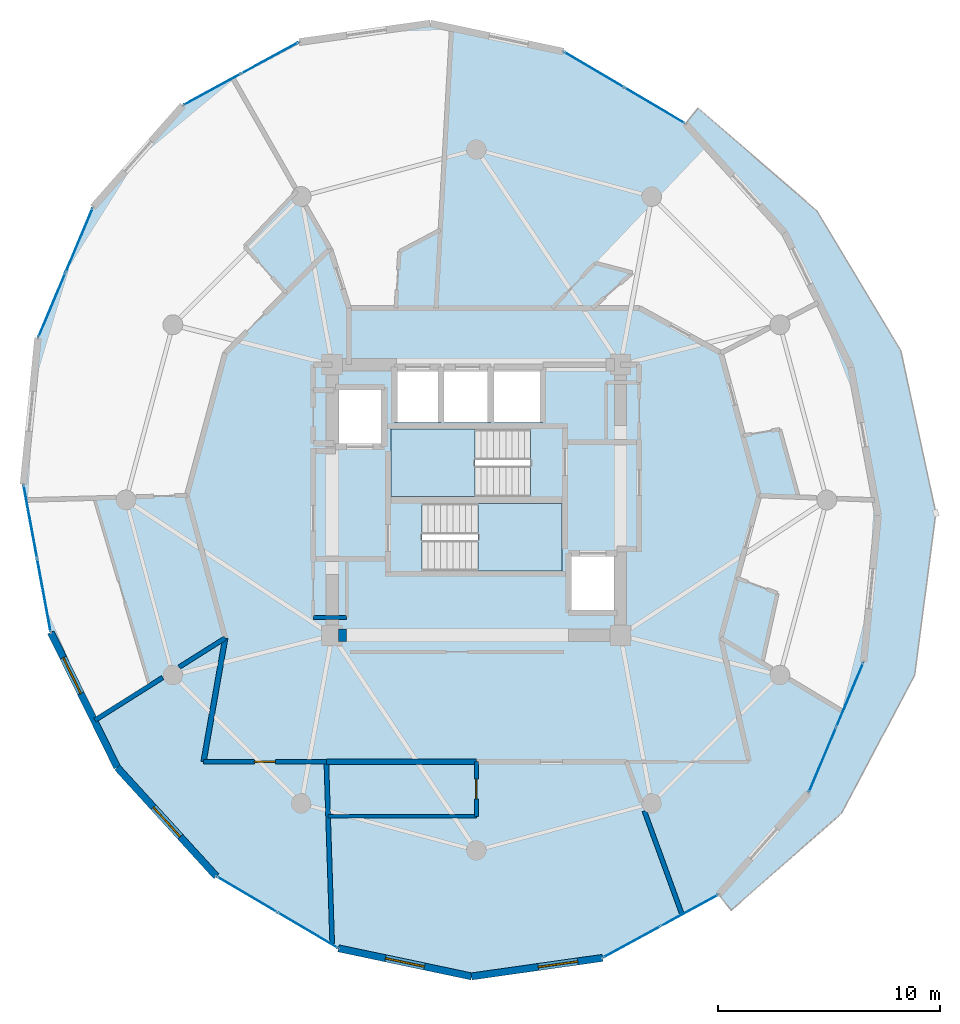
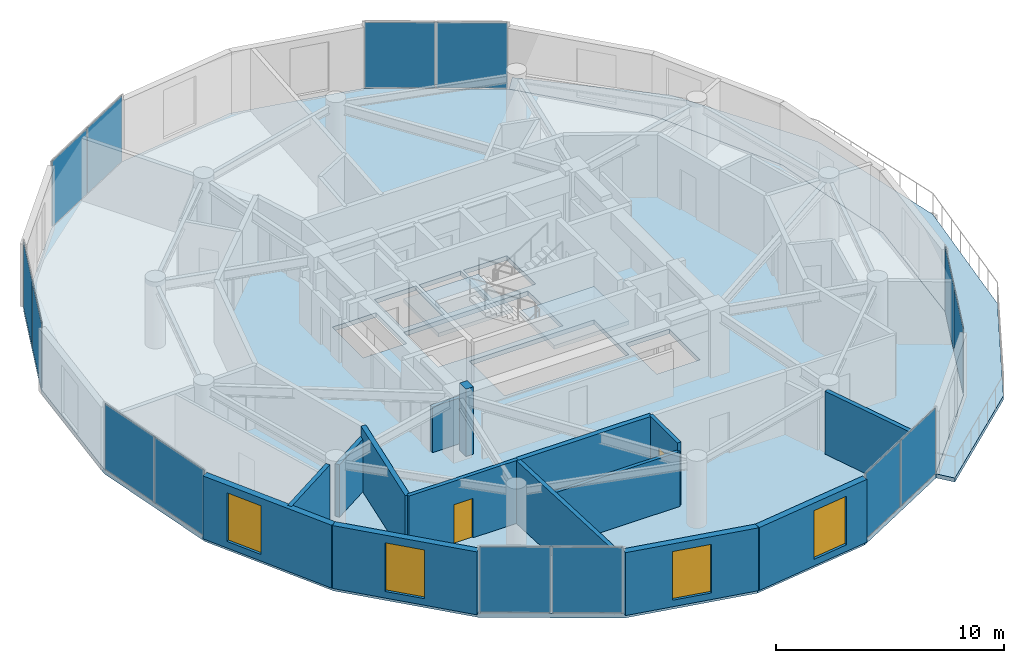
# One storey, part 16 of 21: 15 walls, 14 plates, 4 slabs, 4 windows, 2 doors, 6 openings, 9 elements without a shape of their own.
"""IFC4 building model written with IfcOpenShell, lengths in metres."""

from ifc_helpers import new_model, si_unit, direction, frame, frame_2d, origin, origin_2d, place, context, subcontext, project, spatial, polyline, rectangle, outline, extrude, source, transform, mapped, material, layer, layer_set, type_object, element, fill, aggregate, save


model = new_model("IFC4")

# Units and contexts
model_context = context("Model", 3, precision=1e-05, world=origin(), true_north=direction((0.0, 1.0)))
body_context = subcontext(model_context, "Body", "Model", "MODEL_VIEW")
ifc_project = project(units=[si_unit("LENGTHUNIT", "METRE"), si_unit("AREAUNIT", "SQUARE_METRE"), si_unit("VOLUMEUNIT", "CUBIC_METRE"), si_unit("PLANEANGLEUNIT", "RADIAN"), si_unit("MASSUNIT", "GRAM", prefix="KILO")], contexts=[model_context])

# Site, building, storey
site_placement = place(None, origin())
site = spatial("IfcSite", under=ifc_project, at=site_placement, CompositionType="ELEMENT")
building_placement = place(site_placement, origin())
building = spatial("IfcBuilding", under=site, at=building_placement, Name="Solvirekh Grand Hotel", CompositionType="ELEMENT")
storey_placement = place(building_placement, frame((0.0, 0.0, 223.60009765625)))
storey = spatial("IfcBuildingStorey", under=building, at=storey_placement, Name="L58", CompositionType="ELEMENT", Elevation=223.60009765625)

# Slab
ifc_material_1 = material(Name="Concrete C50/60", Category="concrete")
ifc_layer_1 = layer(ifc_material_1, 0.215087890625)
ifc_layer_set_1 = layer_set([ifc_layer_1], Name="Concrete C50/60")
slab_type_1 = type_object("IfcSlabType", Name="ExtCrescentBalc_215", PredefinedType="FLOOR", material=ifc_layer_set_1)
slab_1_placement = place(storey_placement, frame((0.0, 0.0, -0.215087890625)))
element("IfcSlab", 1, at=slab_1_placement, inside=storey, type_object=slab_type_1, Name="L58 sweeping crescent balcony slab", PredefinedType="FLOOR", context=body_context, shape_type="SweptSolid", body=[
    extrude(outline(polyline([(11.489013671875, -18.493896484375), (16.468017578125, -14.118896484375), (19.761962890625, -7.882080078125), (20.714111328125, -0.587890625), (19.138916015625, 6.718017578125), (15.340087890625, 13.04296875), (9.993896484375, 17.6650390625), (9.424072265625, 16.968017578125), (13.89208984375, 12.06005859375), (16.886962890625, 5.971923828125), (18.116943359375, -0.700927734375), (17.4609375, -7.304931640625), (14.98291015625, -13.194091796875), (10.926025390625, -17.7919921875), (11.489013671875, -18.493896484375)])), origin(), (0.0, 0.0, 1.0), 0.215087890625),
])

# Stair, slab
ifc_material_2 = material(Name="Concrete C40/50", Category="concrete")
stair_type = type_object("IfcStairType", Name="Stair_Core_1450", PredefinedType="HALF_TURN_STAIR", material=ifc_material_2)
stair_1_placement = place(storey_placement, origin())
stair_1 = element("IfcStair", 2, at=stair_1_placement, inside=storey, type_object=stair_type, Name="L58 Enclosed exit stair ST-1", PredefinedType="HALF_TURN_STAIR")
ifc_layer_2 = layer(ifc_material_2, 0.199951171875)
ifc_layer_set_2 = layer_set([ifc_layer_2], Name="Concrete C40/50")
slab_type_2 = type_object("IfcSlabType", Name="Landing_Stair_200", PredefinedType="LANDING", material=ifc_layer_set_2)
slab_2_placement = place(storey_placement, frame((0.0, 0.0, 1.599853515625)))
slab_2 = element("IfcSlab", 3, at=slab_2_placement, type_object=slab_type_2, Name="ST-1 landing 1", PredefinedType="LANDING", context=body_context, shape_type="SweptSolid", body=[
    extrude(outline(polyline([(0.070068359375, -3.199951171875), (3.85009765625, -3.199951171875), (3.85009765625, -0.14990234375), (0.070068359375, -0.14990234375), (0.070068359375, -3.199951171875)])), origin(), (0.0, 0.0, 1.0), 0.199951171875),
])
aggregate(stair_1, [slab_2])

stair_2_placement = place(storey_placement, origin())
stair_2 = element("IfcStair", 4, at=stair_2_placement, inside=storey, type_object=stair_type, Name="L58 Enclosed exit stair ST-2", PredefinedType="HALF_TURN_STAIR")
slab_3_placement = place(storey_placement, frame((0.0, 0.0, 1.599853515625)))
slab_3 = element("IfcSlab", 5, at=slab_3_placement, type_object=slab_type_2, Name="ST-2 landing 1", PredefinedType="LANDING", context=body_context, shape_type="SweptSolid", body=[
    extrude(outline(polyline([(-0.070068359375, 3.199951171875), (-3.85009765625, 3.199951171875), (-3.85009765625, 0.14990234375), (-0.070068359375, 0.14990234375), (-0.070068359375, 3.199951171875)])), origin(), (0.0, 0.0, 1.0), 0.199951171875),
])
aggregate(stair_2, [slab_3])

# Slab
ifc_layer_3 = layer(ifc_material_2, 0.239990234375)
ifc_layer_set_3 = layer_set([ifc_layer_3], Name="Concrete C40/50")
slab_type_3 = type_object("IfcSlabType", Name="Slab_GuestZ3_240", PredefinedType="FLOOR", material=ifc_layer_set_3)
slab_4_placement = place(storey_placement, frame((0.0, 0.0, -0.239990234375)))
element("IfcSlab", 6, at=slab_4_placement, inside=storey, type_object=slab_type_3, Name="L58 structural floor slab", PredefinedType="FLOOR", context=body_context, shape_type="SweptSolid", body=[
    extrude(outline(polyline([(5.68701171875, -20.64794921875), (10.926025390625, -17.7919921875), (14.98291015625, -13.194091796875), (17.4609375, -7.304931640625), (18.116943359375, -0.700927734375), (16.886962890625, 5.971923828125), (13.89208984375, 12.06005859375), (9.424072265625, 16.968017578125), (3.9208984375, 20.215087890625), (-2.077880859375, 21.48291015625), (-7.987060546875, 20.64794921875), (-13.22607421875, 17.7919921875), (-17.282958984375, 13.194091796875), (-19.760986328125, 7.304931640625), (-20.4169921875, 0.700927734375), (-19.18701171875, -5.971923828125), (-16.19189453125, -12.06005859375), (-11.72412109375, -16.968017578125), (-6.220947265625, -20.215087890625), (-0.221923828125, -21.48291015625), (5.68701171875, -20.64794921875)]), holes=[polyline([(-2.444091796875, -0.14990234375), (3.85009765625, -0.14990234375), (3.85009765625, -3.199951171875), (-2.444091796875, -3.199951171875), (-2.444091796875, -0.14990234375)]), polyline([(2.444091796875, 0.14990234375), (-3.85009765625, 0.14990234375), (-3.85009765625, 3.199951171875), (2.444091796875, 3.199951171875), (2.444091796875, 0.14990234375)]), polyline([(-3.699951171875, 6.0), (-1.60009765625, 6.0), (-1.60009765625, 3.5), (-3.699951171875, 3.5), (-3.699951171875, 6.0)]), polyline([(-1.449951171875, 6.0), (0.64990234375, 6.0), (0.64990234375, 3.5), (-1.449951171875, 3.5), (-1.449951171875, 6.0)]), polyline([(0.800048828125, 6.0), (3.0, 6.0), (3.0, 3.5), (0.800048828125, 3.5), (0.800048828125, 6.0)]), polyline([(-6.35009765625, 5.10009765625), (-4.14990234375, 5.10009765625), (-4.14990234375, 2.39990234375), (-6.35009765625, 2.39990234375), (-6.35009765625, 5.10009765625)]), polyline([(4.14990234375, -2.39990234375), (6.35009765625, -2.39990234375), (6.35009765625, -5.10009765625), (4.14990234375, -5.10009765625), (4.14990234375, -2.39990234375)])]), origin(), (0.0, 0.0, 1.0), 0.239990234375),
])

# Curtain wall, plates
ifc_material_3 = material(Name="Anodized Bronze Aluminium 6063-T6", Category="aluminium")
ifc_layer_4 = layer(ifc_material_3, 0.159912109375)
ifc_layer_set_4 = layer_set([ifc_layer_4], Name="Anodized Bronze Aluminium 6063-T6")
curtain_wall_type = type_object("IfcCurtainWallType", Name="CW_Sys4_HighZoneFlushBronzeCW", PredefinedType="NOTDEFINED", material=ifc_layer_set_4)
curtain_wall_1_placement = place(storey_placement, origin())
curtain_wall_1 = element("IfcCurtainWall", 7, at=curtain_wall_1_placement, inside=storey, type_object=curtain_wall_type, Name="L58 unitised bronze-glass curtain wall CW-L58-C08", PredefinedType="NOTDEFINED")
ifc_material_4 = material(Name="Low-E Tinted Bronze Laminated Glass", Category="aluminium")
ifc_layer_5 = layer(ifc_material_4, 0.033935546875)
ifc_layer_set_5 = layer_set([ifc_layer_5], Name="Low-E Tinted Bronze Laminated Glass")
plate_type = type_object("IfcPlateType", Name="CWPanel_High_34", PredefinedType="CURTAIN_PANEL", material=ifc_layer_set_5)
shared_shape_1 = source(origin(), body_context, "Body", "SweptSolid", [
    extrude(rectangle(XDim=3.104736328125, YDim=0.033935546875, at=origin_2d()), origin(), (0.0, 0.0, 1.0), 3.489990234375),
])
plate_1_placement = place(storey_placement, frame((8.035400390625, 17.787353515625, 0.0546875), z_axis=(0.0, 0.0, 1.0), x_axis=(-0.861253503239, 0.508175563323, 0.0)))
plate_1 = element("IfcPlate", 8, at=plate_1_placement, type_object=plate_type, Name="U04 panel 1.1", PredefinedType="CURTAIN_PANEL", context=body_context, shape_type="MappedRepresentation", body=[
    mapped(shared_shape_1, transform((0.0, 0.0, 0.0), x_axis=(1.0, 0.0, 0.0), y_axis=(0.0, 1.0, 0.0), z_axis=(0.0, 0.0, 1.0), scale=1.0)),
])
plate_2_placement = place(storey_placement, frame((5.3095703125, 19.3955078125, 0.0546875), z_axis=(0.0, 0.0, 1.0), x_axis=(-0.861253503239, 0.508175563323, 0.0)))
plate_2 = element("IfcPlate", 9, at=plate_2_placement, type_object=plate_type, Name="U04 panel 2.1", PredefinedType="CURTAIN_PANEL", context=body_context, shape_type="MappedRepresentation", body=[
    mapped(shared_shape_1, transform((0.0, 0.0, 0.0), x_axis=(1.0, 0.0, 0.0), y_axis=(0.0, 1.0, 0.0), z_axis=(0.0, 0.0, 1.0), scale=1.0)),
])
aggregate(curtain_wall_1, [plate_1, plate_2])

curtain_wall_2_placement = place(storey_placement, origin())
curtain_wall_2 = element("IfcCurtainWall", 10, at=curtain_wall_2_placement, inside=storey, type_object=curtain_wall_type, Name="L58 unitised bronze-glass curtain wall CW-L58-C18", PredefinedType="NOTDEFINED")
plate_3_placement = place(storey_placement, frame((-10.33544921875, -17.787353515625, 0.0546875), z_axis=(0.0, 0.0, 1.0), x_axis=(0.861253503239, -0.508175563323, 0.0)))
plate_3 = element("IfcPlate", 11, at=plate_3_placement, type_object=plate_type, Name="U04 panel 1.1", PredefinedType="CURTAIN_PANEL", context=body_context, shape_type="MappedRepresentation", body=[
    mapped(shared_shape_1, transform((0.0, 0.0, 0.0), x_axis=(1.0, 0.0, 0.0), y_axis=(0.0, 1.0, 0.0), z_axis=(0.0, 0.0, 1.0), scale=1.0)),
])
plate_4_placement = place(storey_placement, frame((-7.609619140625, -19.3955078125, 0.0546875), z_axis=(0.0, 0.0, 1.0), x_axis=(0.861253503239, -0.508175563323, 0.0)))
plate_4 = element("IfcPlate", 12, at=plate_4_placement, type_object=plate_type, Name="U04 panel 2.1", PredefinedType="CURTAIN_PANEL", context=body_context, shape_type="MappedRepresentation", body=[
    mapped(shared_shape_1, transform((0.0, 0.0, 0.0), x_axis=(1.0, 0.0, 0.0), y_axis=(0.0, 1.0, 0.0), z_axis=(0.0, 0.0, 1.0), scale=1.0)),
])
aggregate(curtain_wall_2, [plate_3, plate_4])

curtain_wall_3_placement = place(storey_placement, origin())
curtain_wall_3 = element("IfcCurtainWall", 13, at=curtain_wall_3_placement, inside=storey, type_object=curtain_wall_type, Name="L58 unitised bronze-glass curtain wall CW-L58-C01", PredefinedType="NOTDEFINED")
shared_shape_2 = source(origin(), body_context, "Body", "SweptSolid", [
    extrude(rectangle(XDim=2.8935546875, YDim=0.033935546875, at=origin_2d()), origin(), (0.0, 0.0, 1.0), 3.489990234375),
])
plate_5_placement = place(storey_placement, frame((7.010009765625, -19.9267578125, 0.0546875), z_axis=(0.0, 0.0, 1.0), x_axis=(0.878010833211, 0.478640759614, 0.0)))
plate_5 = element("IfcPlate", 14, at=plate_5_placement, type_object=plate_type, Name="U04 panel 1.1", PredefinedType="CURTAIN_PANEL", context=body_context, shape_type="MappedRepresentation", body=[
    mapped(shared_shape_2, transform((0.0, 0.0, 0.0), x_axis=(1.0, 0.0, 0.0), y_axis=(0.0, 1.0, 0.0), z_axis=(0.0, 0.0, 1.0), scale=1.0)),
])
plate_6_placement = place(storey_placement, frame((9.60302734375, -18.51318359375, 0.0546875), z_axis=(0.0, 0.0, 1.0), x_axis=(0.878010833211, 0.478640759614, 0.0)))
plate_6 = element("IfcPlate", 15, at=plate_6_placement, type_object=plate_type, Name="U04 panel 2.1", PredefinedType="CURTAIN_PANEL", context=body_context, shape_type="MappedRepresentation", body=[
    mapped(shared_shape_2, transform((0.0, 0.0, 0.0), x_axis=(1.0, 0.0, 0.0), y_axis=(0.0, 1.0, 0.0), z_axis=(0.0, 0.0, 1.0), scale=1.0)),
])
aggregate(curtain_wall_3, [plate_5, plate_6])

curtain_wall_4_placement = place(storey_placement, origin())
curtain_wall_4 = element("IfcCurtainWall", 16, at=curtain_wall_4_placement, inside=storey, type_object=curtain_wall_type, Name="L58 unitised bronze-glass curtain wall CW-L58-C11", PredefinedType="NOTDEFINED")
plate_7_placement = place(storey_placement, frame((-9.309814453125, 19.9267578125, 0.0546875), z_axis=(0.0, 0.0, 1.0), x_axis=(-0.878010833211, -0.478640759614, 0.0)))
plate_7 = element("IfcPlate", 17, at=plate_7_placement, type_object=plate_type, Name="U04 panel 1.1", PredefinedType="CURTAIN_PANEL", context=body_context, shape_type="MappedRepresentation", body=[
    mapped(shared_shape_2, transform((0.0, 0.0, 0.0), x_axis=(1.0, 0.0, 0.0), y_axis=(0.0, 1.0, 0.0), z_axis=(0.0, 0.0, 1.0), scale=1.0)),
])
plate_8_placement = place(storey_placement, frame((-11.903076171875, 18.51318359375, 0.0546875), z_axis=(0.0, 0.0, 1.0), x_axis=(-0.878010833211, -0.478640759614, 0.0)))
plate_8 = element("IfcPlate", 18, at=plate_8_placement, type_object=plate_type, Name="U04 panel 2.1", PredefinedType="CURTAIN_PANEL", context=body_context, shape_type="MappedRepresentation", body=[
    mapped(shared_shape_2, transform((0.0, 0.0, 0.0), x_axis=(1.0, 0.0, 0.0), y_axis=(0.0, 1.0, 0.0), z_axis=(0.0, 0.0, 1.0), scale=1.0)),
])
aggregate(curtain_wall_4, [plate_7, plate_8])

curtain_wall_5_placement = place(storey_placement, origin())
curtain_wall_5 = element("IfcCurtainWall", 19, at=curtain_wall_5_placement, inside=storey, type_object=curtain_wall_type, Name="L58 unitised bronze-glass curtain wall CW-L58-C03", PredefinedType="NOTDEFINED")
shared_shape_3 = source(origin(), body_context, "Body", "SweptSolid", [
    extrude(rectangle(XDim=3.1044921875, YDim=0.033935546875, at=origin_2d()), origin(), (0.0, 0.0, 1.0), 3.489990234375),
])
plate_9_placement = place(storey_placement, frame((15.6083984375, -11.7080078125, 0.0546875), z_axis=(0.0, 0.0, 1.0), x_axis=(0.387847074185, 0.921723736836, 0.0)))
plate_9 = element("IfcPlate", 20, at=plate_9_placement, type_object=plate_type, Name="U04 panel 1.1", PredefinedType="CURTAIN_PANEL", context=body_context, shape_type="MappedRepresentation", body=[
    mapped(shared_shape_3, transform((0.0, 0.0, 0.0), x_axis=(1.0, 0.0, 0.0), y_axis=(0.0, 1.0, 0.0), z_axis=(0.0, 0.0, 1.0), scale=1.0)),
])
plate_10_placement = place(storey_placement, frame((16.835693359375, -8.791015625, 0.0546875), z_axis=(0.0, 0.0, 1.0), x_axis=(0.387847074185, 0.921723736836, 0.0)))
plate_10 = element("IfcPlate", 21, at=plate_10_placement, type_object=plate_type, Name="U04 panel 2.1", PredefinedType="CURTAIN_PANEL", context=body_context, shape_type="MappedRepresentation", body=[
    mapped(shared_shape_3, transform((0.0, 0.0, 0.0), x_axis=(1.0, 0.0, 0.0), y_axis=(0.0, 1.0, 0.0), z_axis=(0.0, 0.0, 1.0), scale=1.0)),
])
aggregate(curtain_wall_5, [plate_9, plate_10])

curtain_wall_6_placement = place(storey_placement, origin())
curtain_wall_6 = element("IfcCurtainWall", 22, at=curtain_wall_6_placement, inside=storey, type_object=curtain_wall_type, Name="L58 unitised bronze-glass curtain wall CW-L58-C13", PredefinedType="NOTDEFINED")
plate_11_placement = place(storey_placement, frame((-17.908203125, 11.7080078125, 0.0546875), z_axis=(0.0, 0.0, 1.0), x_axis=(-0.387847074185, -0.921723736836, 0.0)))
plate_11 = element("IfcPlate", 23, at=plate_11_placement, type_object=plate_type, Name="U04 panel 1.1", PredefinedType="CURTAIN_PANEL", context=body_context, shape_type="MappedRepresentation", body=[
    mapped(shared_shape_3, transform((0.0, 0.0, 0.0), x_axis=(1.0, 0.0, 0.0), y_axis=(0.0, 1.0, 0.0), z_axis=(0.0, 0.0, 1.0), scale=1.0)),
])
plate_12_placement = place(storey_placement, frame((-19.1357421875, 8.791015625, 0.0546875), z_axis=(0.0, 0.0, 1.0), x_axis=(-0.387847074185, -0.921723736836, 0.0)))
plate_12 = element("IfcPlate", 24, at=plate_12_placement, type_object=plate_type, Name="U04 panel 2.1", PredefinedType="CURTAIN_PANEL", context=body_context, shape_type="MappedRepresentation", body=[
    mapped(shared_shape_3, transform((0.0, 0.0, 0.0), x_axis=(1.0, 0.0, 0.0), y_axis=(0.0, 1.0, 0.0), z_axis=(0.0, 0.0, 1.0), scale=1.0)),
])
aggregate(curtain_wall_6, [plate_11, plate_12])

curtain_wall_7_placement = place(storey_placement, origin())
curtain_wall_7 = element("IfcCurtainWall", 25, at=curtain_wall_7_placement, inside=storey, type_object=curtain_wall_type, Name="L58 unitised bronze-glass curtain wall CW-L58-C15", PredefinedType="NOTDEFINED")
shared_shape_4 = source(origin(), body_context, "Body", "SweptSolid", [
    extrude(rectangle(XDim=3.302734375, YDim=0.033935546875, at=origin_2d()), origin(), (0.0, 0.0, 1.0), 3.489990234375),
])
plate_13_placement = place(storey_placement, frame((-20.106689453125, -0.98193359375, 0.0546875), z_axis=(0.0, 0.0, 1.0), x_axis=(0.181271207486, -0.983433144315, 0.0)))
plate_13 = element("IfcPlate", 26, at=plate_13_placement, type_object=plate_type, Name="U04 panel 1.1", PredefinedType="CURTAIN_PANEL", context=body_context, shape_type="MappedRepresentation", body=[
    mapped(shared_shape_4, transform((0.0, 0.0, 0.0), x_axis=(1.0, 0.0, 0.0), y_axis=(0.0, 1.0, 0.0), z_axis=(0.0, 0.0, 1.0), scale=1.0)),
])
plate_14_placement = place(storey_placement, frame((-19.497314453125, -4.2890625, 0.0546875), z_axis=(0.0, 0.0, 1.0), x_axis=(0.181271207486, -0.983433144315, 0.0)))
plate_14 = element("IfcPlate", 27, at=plate_14_placement, type_object=plate_type, Name="U04 panel 2.1", PredefinedType="CURTAIN_PANEL", context=body_context, shape_type="MappedRepresentation", body=[
    mapped(shared_shape_4, transform((0.0, 0.0, 0.0), x_axis=(1.0, 0.0, 0.0), y_axis=(0.0, 1.0, 0.0), z_axis=(0.0, 0.0, 1.0), scale=1.0)),
])
aggregate(curtain_wall_7, [plate_13, plate_14])

# Wall
ifc_layer_6 = layer(ifc_material_1, 0.550048828125)
ifc_layer_set_6 = layer_set([ifc_layer_6], Name="Concrete C50/60")
wall_type_1 = type_object("IfcWallType", Name="CoreWall_RC550", PredefinedType="SHEAR", material=ifc_layer_set_6)
wall_1_placement = place(storey_placement, frame((-6.22509765625, -6.10009765625, 0.0), z_axis=(0.0, 0.0, 1.0), x_axis=(1.0, 0.0, 0.0)))
element("IfcWall", 28, at=wall_1_placement, inside=storey, type_object=wall_type_1, Name="L58 core corner shear wall SW-S", PredefinedType="SHEAR", context=body_context, shape_type="SweptSolid", body=[
    extrude(rectangle(XDim=0.375, YDim=0.550048828125, at=frame_2d((0.1875, 0.0))), origin(), (0.0, 0.0, 1.0), 3.599853515625),
])

# Wall, opening, window
ifc_material_5 = material(Name="Precast concrete C45/55", Category="concrete")
ifc_layer_7 = layer(ifc_material_5, 0.320068359375)
ifc_layer_set_7 = layer_set([ifc_layer_7], Name="Precast concrete C45/55")
wall_type_2 = type_object("IfcWallType", Name="ExtLobbyWall_RC320", PredefinedType="SOLIDWALL", material=ifc_layer_set_7)
wall_2_placement = place(storey_placement, frame((-16.19189453125, -12.06005859375, 0.0), z_axis=(0.0, 0.0, 1.0), x_axis=(-0.441432699622, 0.897294361792, 0.0)))
wall_2 = element("IfcWall", 29, at=wall_2_placement, inside=storey, type_object=wall_type_2, Name="L58 exterior structural wall chord 16", PredefinedType="SOLIDWALL", context=body_context, shape_type="SweptSolid", body=[
    extrude(rectangle(XDim=6.784912109375, YDim=0.320068359375, at=frame_2d((3.392578125, 0.0))), origin(), (0.0, 0.0, 1.0), 3.35986328125),
])
opening_1_placement = place(wall_2_placement, frame((3.720947265625, 0.0, 0.35009765625)))
opening_1 = element("IfcOpeningElement", 30, at=opening_1_placement, cuts=wall_2, Name="Opening W02", PredefinedType="OPENING", context=body_context, shape_type="SweptSolid", body=[
    extrude(rectangle(XDim=1.800048828125, YDim=2.60009765625, at=frame_2d((0.89990234375, 1.300048828125))), frame((0.0, 0.169921875, 0.0), z_axis=(0.0, -1.0, 0.0), x_axis=(1.0, 0.0, 0.0)), (0.0, 0.0, 1.0), 0.340087890625),
])
window_type = type_object("IfcWindowType", Name="Win_LobbyExt_1800X2600", PartitioningType="SINGLE_PANEL", PredefinedType="WINDOW", material=ifc_material_4)
window_1_placement = place(opening_1_placement, origin())
window_1 = element("IfcWindow", 31, at=window_1_placement, inside=storey, type_object=window_type, Name="L58 panoramic bronze-framed window 16", OverallHeight=2.60009765625, OverallWidth=1.800048828125, PartitioningType="SINGLE_PANEL", PredefinedType="WINDOW", context=body_context, shape_type="SweptSolid", body=[
    extrude(rectangle(XDim=1.800048828125, YDim=2.60009765625, at=frame_2d((0.89990234375, 1.300048828125))), frame((0.0, 0.030029296875, 0.0), z_axis=(0.0, -1.0, 0.0), x_axis=(1.0, 0.0, 0.0)), (0.0, 0.0, 1.0), 0.06005859375),
])
fill(opening_1, window_1)

wall_3_placement = place(storey_placement, frame((-11.72412109375, -16.968017578125, 0.0), z_axis=(0.0, 0.0, 1.0), x_axis=(-0.673166995422, 0.739490497758, 0.0)))
wall_3 = element("IfcWall", 32, at=wall_3_placement, inside=storey, type_object=wall_type_2, Name="L58 exterior structural wall chord 17", PredefinedType="SOLIDWALL", context=body_context, shape_type="SweptSolid", body=[
    extrude(rectangle(XDim=6.636962890625, YDim=0.320068359375, at=frame_2d((3.318359375, 0.0))), origin(), (0.0, 0.0, 1.0), 3.35986328125),
])
opening_2_placement = place(wall_3_placement, frame((2.4189453125, 0.0, 0.35009765625)))
opening_2 = element("IfcOpeningElement", 33, at=opening_2_placement, cuts=wall_3, Name="Opening W02", PredefinedType="OPENING", context=body_context, shape_type="SweptSolid", body=[
    extrude(rectangle(XDim=1.800048828125, YDim=2.60009765625, at=frame_2d((0.89990234375, 1.300048828125))), frame((0.0, 0.169921875, 0.0), z_axis=(0.0, -1.0, 0.0), x_axis=(1.0, 0.0, 0.0)), (0.0, 0.0, 1.0), 0.340087890625),
])
window_2_placement = place(opening_2_placement, origin())
window_2 = element("IfcWindow", 34, at=window_2_placement, inside=storey, type_object=window_type, Name="L58 panoramic bronze-framed window 17", OverallHeight=2.60009765625, OverallWidth=1.800048828125, PartitioningType="SINGLE_PANEL", PredefinedType="WINDOW", context=body_context, shape_type="SweptSolid", body=[
    extrude(rectangle(XDim=1.800048828125, YDim=2.60009765625, at=frame_2d((0.89990234375, 1.300048828125))), frame((0.0, 0.030029296875, 0.0), z_axis=(0.0, -1.0, 0.0), x_axis=(1.0, 0.0, 0.0)), (0.0, 0.0, 1.0), 0.06005859375),
])
fill(opening_2, window_2)

wall_4_placement = place(storey_placement, frame((-0.221923828125, -21.48291015625, 0.0), z_axis=(0.0, 0.0, 1.0), x_axis=(-0.978389375522, 0.206770959917, 0.0)))
wall_4 = element("IfcWall", 35, at=wall_4_placement, inside=storey, type_object=wall_type_2, Name="L58 exterior structural wall chord 19", PredefinedType="SOLIDWALL", context=body_context, shape_type="SweptSolid", body=[
    extrude(rectangle(XDim=6.131591796875, YDim=0.320068359375, at=frame_2d((3.06591796875, 0.0))), origin(), (0.0, 0.0, 1.0), 3.35986328125),
])
opening_3_placement = place(wall_4_placement, frame((2.166015625, 0.0, 0.35009765625)))
opening_3 = element("IfcOpeningElement", 36, at=opening_3_placement, cuts=wall_4, Name="Opening W02", PredefinedType="OPENING", context=body_context, shape_type="SweptSolid", body=[
    extrude(rectangle(XDim=1.800048828125, YDim=2.60009765625, at=frame_2d((0.89990234375, 1.300048828125))), frame((0.0, 0.169921875, 0.0), z_axis=(0.0, -1.0, 0.0), x_axis=(1.0, 0.0, 0.0)), (0.0, 0.0, 1.0), 0.340087890625),
])
window_3_placement = place(opening_3_placement, origin())
window_3 = element("IfcWindow", 37, at=window_3_placement, inside=storey, type_object=window_type, Name="L58 panoramic bronze-framed window 19", OverallHeight=2.60009765625, OverallWidth=1.800048828125, PartitioningType="SINGLE_PANEL", PredefinedType="WINDOW", context=body_context, shape_type="SweptSolid", body=[
    extrude(rectangle(XDim=1.800048828125, YDim=2.60009765625, at=frame_2d((0.89990234375, 1.300048828125))), frame((0.0, 0.030029296875, 0.0), z_axis=(0.0, -1.0, 0.0), x_axis=(1.0, 0.0, 0.0)), (0.0, 0.0, 1.0), 0.06005859375),
])
fill(opening_3, window_3)

wall_5_placement = place(storey_placement, frame((5.68701171875, -20.64794921875, 0.0), z_axis=(0.0, 0.0, 1.0), x_axis=(-0.990163538308, -0.139914857704, 0.0)))
wall_5 = element("IfcWall", 38, at=wall_5_placement, inside=storey, type_object=wall_type_2, Name="L58 exterior structural wall chord 20", PredefinedType="SOLIDWALL", context=body_context, shape_type="SweptSolid", body=[
    extrude(rectangle(XDim=5.967529296875, YDim=0.320068359375, at=frame_2d((2.98388671875, 0.0))), origin(), (0.0, 0.0, 1.0), 3.35986328125),
])
opening_4_placement = place(wall_5_placement, frame((1.133056640625, 0.0, 0.35009765625)))
opening_4 = element("IfcOpeningElement", 39, at=opening_4_placement, cuts=wall_5, Name="Opening W02", PredefinedType="OPENING", context=body_context, shape_type="SweptSolid", body=[
    extrude(rectangle(XDim=1.800048828125, YDim=2.60009765625, at=frame_2d((0.89990234375, 1.300048828125))), frame((0.0, 0.169921875, 0.0), z_axis=(0.0, -1.0, 0.0), x_axis=(1.0, 0.0, 0.0)), (0.0, 0.0, 1.0), 0.340087890625),
])
window_4_placement = place(opening_4_placement, origin())
window_4 = element("IfcWindow", 40, at=window_4_placement, inside=storey, type_object=window_type, Name="L58 panoramic bronze-framed window 20", OverallHeight=2.60009765625, OverallWidth=1.800048828125, PartitioningType="SINGLE_PANEL", PredefinedType="WINDOW", context=body_context, shape_type="SweptSolid", body=[
    extrude(rectangle(XDim=1.800048828125, YDim=2.60009765625, at=frame_2d((0.89990234375, 1.300048828125))), frame((0.0, 0.030029296875, 0.0), z_axis=(0.0, -1.0, 0.0), x_axis=(1.0, 0.0, 0.0)), (0.0, 0.0, 1.0), 0.06005859375),
])
fill(opening_4, window_4)

# Walls
ifc_material_6 = material(Name="Acoustic Gypsum Partition Assembly")
ifc_layer_8 = layer(ifc_material_6, 0.1650390625)
ifc_layer_set_8 = layer_set([ifc_layer_8], Name="Acoustic Gypsum Partition Assembly")
wall_type_3 = type_object("IfcWallType", Name="Part_BOH_165", PredefinedType="PARTITIONING", material=ifc_layer_set_8)
wall_6_placement = place(storey_placement, frame((-7.35009765625, -5.300048828125, 0.0), z_axis=(0.0, 0.0, 1.0), x_axis=(1.0, 0.0, 0.0)))
element("IfcWall", 41, at=wall_6_placement, inside=storey, type_object=wall_type_3, Name="L58 L58 Core Linen Store wall 1", PredefinedType="PARTITIONING", context=body_context, shape_type="SweptSolid", body=[
    extrude(rectangle(XDim=1.5, YDim=0.1650390625, at=frame_2d((0.75, 0.0))), origin(), (0.0, 0.0, 1.0), 2.44482421875),
])
ifc_layer_9 = layer(ifc_material_6, 0.239990234375)
ifc_layer_set_9 = layer_set([ifc_layer_9], Name="Acoustic Gypsum Partition Assembly")
wall_type_4 = type_object("IfcWallType", Name="Part_Corridor_240", PredefinedType="PARTITIONING", material=ifc_layer_set_9)
wall_7_placement = place(storey_placement, frame((-11.322021484375, -6.22509765625, 0.0), z_axis=(0.0, 0.0, 1.0), x_axis=(-0.172793604918, -0.984958054995, 0.0)))
element("IfcWall", 42, at=wall_7_placement, inside=storey, type_object=wall_type_4, Name="L58 L58 Meditation Studio corridor wall 1", PredefinedType="PARTITIONING", context=body_context, shape_type="SweptSolid", body=[
    extrude(rectangle(XDim=5.66015625, YDim=0.239990234375, at=frame_2d((2.830078125, 0.0))), origin(), (0.0, 0.0, 1.0), 3.35986328125),
])
wall_8_placement = place(storey_placement, frame((-6.764892578125, -11.800048828125, 0.0), z_axis=(0.0, 0.0, 1.0), x_axis=(1.0, 0.0, 0.0)))
element("IfcWall", 43, at=wall_8_placement, inside=storey, type_object=wall_type_4, Name="L58 En-suite Bathroom 6006 corridor backing wall", PredefinedType="PARTITIONING", context=body_context, shape_type="SweptSolid", body=[
    extrude(rectangle(XDim=6.764892578125, YDim=0.239990234375, at=frame_2d((3.38232421875, 0.0))), origin(), (0.0, 0.0, 1.0), 3.35986328125),
])

# Wall, opening, door
ifc_layer_10 = layer(ifc_material_6, 0.18994140625)
ifc_layer_set_10 = layer_set([ifc_layer_10], Name="Acoustic Gypsum Partition Assembly")
wall_type_5 = type_object("IfcWallType", Name="Part_GuestDemise_190", PredefinedType="PARTITIONING", material=ifc_layer_set_10)
wall_9_placement = place(storey_placement, frame((-12.300048828125, -11.800048828125, 0.0), z_axis=(0.0, 0.0, 1.0), x_axis=(1.0, 0.0, 0.0)))
wall_9 = element("IfcWall", 44, at=wall_9_placement, inside=storey, type_object=wall_type_5, Name="L58 L58 Meditation Studio entrance wall", PredefinedType="PARTITIONING", context=body_context, shape_type="SweptSolid", body=[
    extrude(rectangle(XDim=5.53515625, YDim=0.18994140625, at=frame_2d((2.767578125, 0.0))), origin(), (0.0, 0.0, 1.0), 3.35986328125),
])
opening_5_placement = place(wall_9_placement, frame((2.29296875, 0.0, 0.0)))
opening_5 = element("IfcOpeningElement", 45, at=opening_5_placement, cuts=wall_9, Name="Opening D10", PredefinedType="OPENING", context=body_context, shape_type="SweptSolid", body=[
    extrude(rectangle(XDim=0.949951171875, YDim=2.10009765625, at=frame_2d((0.47509765625, 1.050048828125))), frame((0.0, 0.10498046875, 0.0), z_axis=(0.0, -1.0, 0.0), x_axis=(1.0, 0.0, 0.0)), (0.0, 0.0, 1.0), 0.2099609375),
])
door_type_1 = type_object("IfcDoorType", Name="Door_RoomInt_950X2100", OperationType="NOTDEFINED", PredefinedType="DOOR", material=ifc_material_3)
door_1_placement = place(opening_5_placement, origin())
door_1 = element("IfcDoor", 46, at=door_1_placement, inside=storey, type_object=door_type_1, Name="L58 L58 Meditation Studio entrance door", OperationType="SINGLE_SWING_RIGHT", OverallHeight=2.10009765625, OverallWidth=0.949951171875, PredefinedType="DOOR", context=body_context, shape_type="SweptSolid", body=[
    extrude(rectangle(XDim=0.949951171875, YDim=2.10009765625, at=frame_2d((0.47509765625, 1.050048828125))), frame((0.0, 0.02490234375, 0.0), z_axis=(0.0, -1.0, 0.0), x_axis=(1.0, 0.0, 0.0)), (0.0, 0.0, 1.0), 0.050048828125),
])
fill(opening_5, door_1)

# Walls
ifc_layer_11 = layer(ifc_material_6, 0.2099609375)
ifc_layer_set_11 = layer_set([ifc_layer_11], Name="Acoustic Gypsum Partition Assembly")
wall_type_6 = type_object("IfcWallType", Name="Part_SuiteDemise_210", PredefinedType="PARTITIONING", material=ifc_layer_set_11)
wall_10_placement = place(storey_placement, frame((-11.322021484375, -6.22509765625, 0.0), z_axis=(0.0, 0.0, 1.0), x_axis=(-0.846059580186, -0.533088348001, 0.0)))
element("IfcWall", 47, at=wall_10_placement, inside=storey, type_object=wall_type_6, Name="L58 suite radial wall 8 (A)", PredefinedType="PARTITIONING", context=body_context, shape_type="SweptSolid", body=[
    extrude(rectangle(XDim=2.44775390625, YDim=0.2099609375, at=frame_2d((1.223876953125, 0.0))), origin(), (0.0, 0.0, 1.0), 2.80078125),
])
wall_11_placement = place(storey_placement, frame((-14.14208984375, -8.0029296875, 0.0), z_axis=(0.0, 0.0, 1.0), x_axis=(-0.84595942636, -0.533247268115, 0.0)))
element("IfcWall", 48, at=wall_11_placement, inside=storey, type_object=wall_type_6, Name="L58 suite radial wall 8 (B)", PredefinedType="PARTITIONING", context=body_context, shape_type="SweptSolid", body=[
    extrude(rectangle(XDim=3.610107421875, YDim=0.2099609375, at=frame_2d((1.80517578125, 0.0))), origin(), (0.0, 0.0, 1.0), 3.35986328125),
])
wall_12_placement = place(storey_placement, frame((-6.764892578125, -11.800048828125, 0.0), z_axis=(0.0, 0.0, 1.0), x_axis=(0.032268128202, -0.99947924836, 0.0)))
element("IfcWall", 49, at=wall_12_placement, inside=storey, type_object=wall_type_6, Name="L58 L58 Meditation Studio dividing partition 1", PredefinedType="PARTITIONING", context=body_context, shape_type="SweptSolid", body=[
    extrude(rectangle(XDim=8.209228515625, YDim=0.2099609375, at=frame_2d((4.1044921875, 0.0))), origin(), (0.0, 0.0, 1.0), 3.35986328125),
])
wall_13_placement = place(storey_placement, frame((7.572998046875, -14.02099609375, 0.0), z_axis=(0.0, 0.0, 1.0), x_axis=(0.342084883254, -0.939669054854, 0.0)))
element("IfcWall", 50, at=wall_13_placement, inside=storey, type_object=wall_type_6, Name="L58 Deluxe Guestroom 6006 dividing partition 1 (B)", PredefinedType="PARTITIONING", context=body_context, shape_type="SweptSolid", body=[
    extrude(rectangle(XDim=4.931640625, YDim=0.2099609375, at=frame_2d((2.4658203125, 0.0))), origin(), (0.0, 0.0, 1.0), 3.35986328125),
])
ifc_layer_12 = layer(ifc_material_6, 0.175048828125)
ifc_layer_set_12 = layer_set([ifc_layer_12], Name="Acoustic Gypsum Partition Assembly")
wall_type_7 = type_object("IfcWallType", Name="Plumb_Ensuite_175", PredefinedType="PLUMBINGWALL", material=ifc_layer_set_12)
wall_14_placement = place(storey_placement, frame((-6.68505859375, -14.260986328125, 0.0), z_axis=(0.0, 0.0, 1.0), x_axis=(1.0, 0.0, 0.0)))
element("IfcWall", 51, at=wall_14_placement, inside=storey, type_object=wall_type_7, Name="L58 En-suite Bathroom 6006 outer plumbing wall", PredefinedType="PLUMBINGWALL", context=body_context, shape_type="SweptSolid", body=[
    extrude(rectangle(XDim=6.68505859375, YDim=0.175048828125, at=frame_2d((3.342529296875, 0.0))), origin(), (0.0, 0.0, 1.0), 2.928955078125),
])

# Wall, opening, door
wall_15_placement = place(storey_placement, frame((0.0, -11.800048828125, 0.0), z_axis=(0.0, 0.0, 1.0), x_axis=(0.0, -1.0, 0.0)))
wall_15 = element("IfcWall", 52, at=wall_15_placement, inside=storey, type_object=wall_type_7, Name="L58 En-suite Bathroom 6006 entry plumbing wall", PredefinedType="PLUMBINGWALL", context=body_context, shape_type="SweptSolid", body=[
    extrude(rectangle(XDim=2.4609375, YDim=0.175048828125, at=frame_2d((1.23046875, 0.0))), origin(), (0.0, 0.0, 1.0), 3.35986328125),
])
opening_6_placement = place(wall_15_placement, frame((0.780029296875, 0.0, 0.0)))
opening_6 = element("IfcOpeningElement", 53, at=opening_6_placement, cuts=wall_15, Name="Opening D09", PredefinedType="OPENING", context=body_context, shape_type="SweptSolid", body=[
    extrude(rectangle(XDim=0.89990234375, YDim=2.10009765625, at=frame_2d((0.449951171875, 1.050048828125))), frame((0.0, 0.09765625, 0.0), z_axis=(0.0, -1.0, 0.0), x_axis=(1.0, 0.0, 0.0)), (0.0, 0.0, 1.0), 0.195068359375),
])
door_type_2 = type_object("IfcDoorType", Name="Door_Ensuite_900X2100", OperationType="NOTDEFINED", PredefinedType="DOOR", material=ifc_material_3)
door_2_placement = place(opening_6_placement, origin())
door_2 = element("IfcDoor", 54, at=door_2_placement, inside=storey, type_object=door_type_2, Name="L58 En-suite Bathroom 6006 door", OperationType="SINGLE_SWING_LEFT", OverallHeight=2.10009765625, OverallWidth=0.89990234375, PredefinedType="DOOR", context=body_context, shape_type="SweptSolid", body=[
    extrude(rectangle(XDim=0.89990234375, YDim=2.10009765625, at=frame_2d((0.449951171875, 1.050048828125))), frame((0.0, 0.02490234375, 0.0), z_axis=(0.0, -1.0, 0.0), x_axis=(1.0, 0.0, 0.0)), (0.0, 0.0, 1.0), 0.050048828125),
])
fill(opening_6, door_2)

save(model, "model.ifc")
